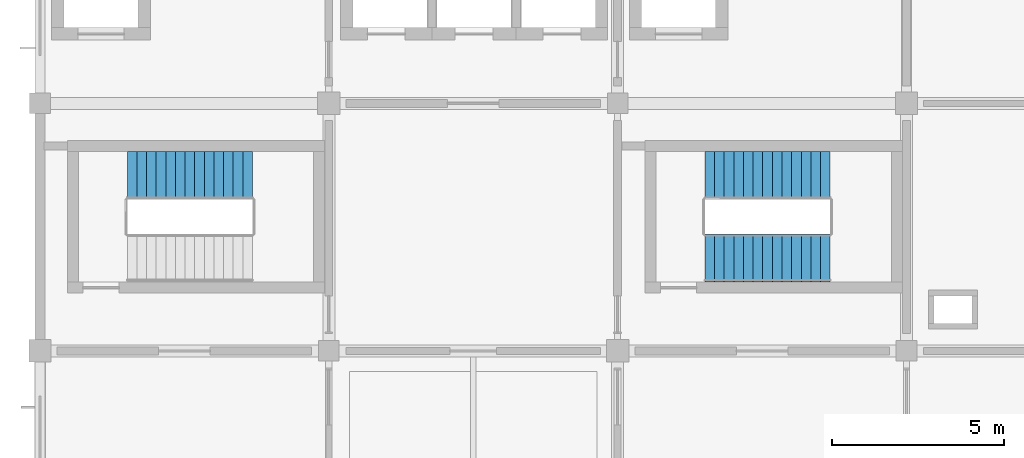
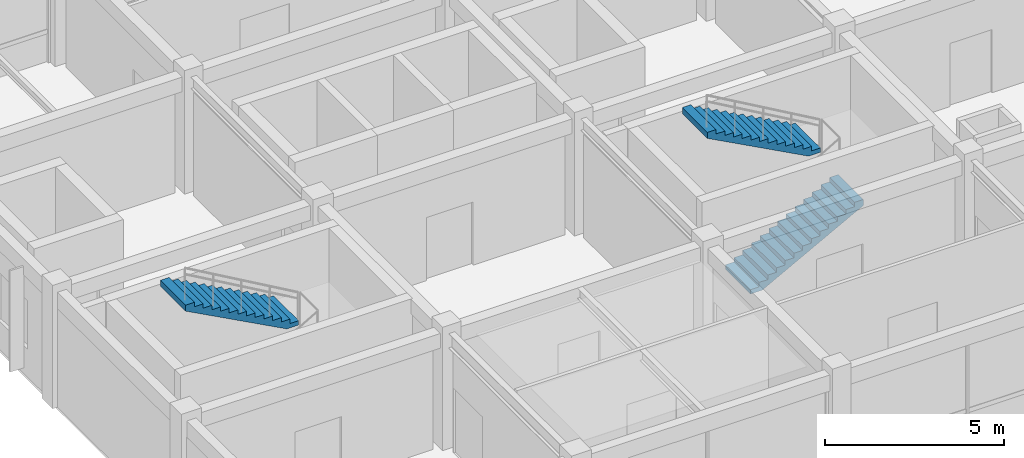
# One storey, part 11 of 13: 3 stair flights, 2 elements without a shape of their own.
"""IFC4 building model written with IfcOpenShell, lengths in metres."""

import ifcopenshell
import ifcopenshell.guid

model = None  # the IFC model being written
_history = None  # IfcOwnerHistory: only IFC2X3 demands one
_inside = {}  # id of a spatial element -> (the spatial element, [elements in it])
_under = {}  # id of a project, library or spatial element -> (it, [spatial elements below it])
_declared = {}  # id of a project -> (the project, [libraries it declares])
_typed = {}  # id of a type object -> (the type object, [elements of that type])
_made_of = {}  # id of a material, layer set ... -> (it, [elements and type objects made of it])


def new_model(schema):
    """Start an empty IFC model of exactly this schema.

    Asked for "IFC4X3", IfcOpenShell would pick the latest addendum, in which some entities
    have other attributes; the version numbers below select the first issue.
    IFC2X3 requires an IfcOwnerHistory on every rooted entity: one is made here for all.
    """
    global model, _history
    if schema == "IFC4X3":
        model = ifcopenshell.file(schema_version=(4, 3, 0, 0))
    else:
        model = ifcopenshell.file(schema=schema)
    _inside.clear()
    _under.clear()
    _declared.clear()
    _typed.clear()
    _made_of.clear()
    _history = None
    if model.schema == "IFC2X3":
        org = make("IfcOrganization", Name="unknown")
        user = make(
            "IfcPersonAndOrganization",
            ThePerson=make("IfcPerson", FamilyName="unknown"),
            TheOrganization=org,
        )
        app = make(
            "IfcApplication",
            ApplicationDeveloper=org,
            Version="unknown",
            ApplicationFullName="unknown",
            ApplicationIdentifier="unknown",
        )
        _history = make(
            "IfcOwnerHistory",
            OwningUser=user,
            OwningApplication=app,
            ChangeAction="ADDED",
            CreationDate=0,
        )
    return model


def make(cls, **values):
    """One entity of the class cls with the attributes given. An attribute that is None is left unset."""
    return model.create_entity(
        cls, **{name: value for name, value in values.items() if value is not None}
    )


def rooted(cls, **values):
    """An entity with a GlobalId (a new one), such as an element, a storey or a relation."""
    return make(cls, GlobalId=ifcopenshell.guid.new(), OwnerHistory=_history, **values)


def si_unit(unit_type, name, prefix=None):
    """IfcSIUnit, for example si_unit("LENGTHUNIT", "METRE", prefix="MILLI")."""
    return make("IfcSIUnit", UnitType=unit_type, Prefix=prefix, Name=name)


def derived_unit(unit_type, elements):
    """IfcDerivedUnit: a product of units, each with its exponent."""
    return make(
        "IfcDerivedUnit",
        Elements=[
            make("IfcDerivedUnitElement", Unit=unit, Exponent=power)
            for unit, power in elements
        ],
        UnitType=unit_type,
    )


def assignment(units):
    """IfcUnitAssignment: the units of a project."""
    return None if units is None else make("IfcUnitAssignment", Units=units)


def point(xyz):
    """IfcCartesianPoint."""
    return None if xyz is None else make("IfcCartesianPoint", Coordinates=xyz)


def direction(xyz):
    """IfcDirection."""
    return None if xyz is None else make("IfcDirection", DirectionRatios=xyz)


def frame(location, z_axis=None, x_axis=None):
    """IfcAxis2Placement3D, a coordinate frame: its origin and axes. An axis left out is left unset."""
    return make(
        "IfcAxis2Placement3D",
        Location=point(location),
        Axis=direction(z_axis),
        RefDirection=direction(x_axis),
    )


def origin():
    """The frame at (0, 0, 0) with its axes left unset."""
    return frame((0.0, 0.0, 0.0))


def place(relative_to, where):
    """IfcLocalPlacement: puts the frame where relative to a parent placement (None: the world)."""
    return make(
        "IfcLocalPlacement", PlacementRelTo=relative_to, RelativePlacement=where
    )


def context(
    kind, dimensions, precision=None, world=None, true_north=None, identifier=None
):
    """IfcGeometricRepresentationContext, for example the 3D "Model" context."""
    return make(
        "IfcGeometricRepresentationContext",
        ContextIdentifier=identifier,
        ContextType=kind,
        CoordinateSpaceDimension=dimensions,
        Precision=precision,
        WorldCoordinateSystem=world,
        TrueNorth=true_north,
    )


def subcontext(parent, identifier, kind, view, scale=None):
    """IfcGeometricRepresentationSubContext, for example "Body" below "Model"."""
    return make(
        "IfcGeometricRepresentationSubContext",
        ContextIdentifier=identifier,
        ContextType=kind,
        ParentContext=parent,
        TargetScale=scale,
        TargetView=view,
    )


def project(units=None, contexts=None):
    """IfcProject with its units and contexts."""
    return rooted(
        "IfcProject",
        Name="project",
        RepresentationContexts=contexts,
        UnitsInContext=assignment(units),
    )


def spatial(cls, under=None, at=None, **own):
    """A site, building, storey or space (cls), placed at a placement, below another one or the project."""
    s = rooted(cls, ObjectPlacement=at, **own)
    if under is not None:
        _under.setdefault(under.id(), (under, []))[1].append(s)
    return s


def polyline(points):
    """IfcPolyline through the points."""
    return make("IfcPolyline", Points=[point(p) for p in points])


def outline(outer, holes=None, kind="AREA"):
    """IfcArbitraryClosedProfileDef: a profile drawn as a closed curve; with holes, ...WithVoids."""
    if holes is None:
        return make("IfcArbitraryClosedProfileDef", ProfileType=kind, OuterCurve=outer)
    return make(
        "IfcArbitraryProfileDefWithVoids",
        ProfileType=kind,
        OuterCurve=outer,
        InnerCurves=holes,
    )


def extrude(swept, where, along, depth):
    """IfcExtrudedAreaSolid: the profile swept, set in the frame where, extruded along a direction by depth."""
    return make(
        "IfcExtrudedAreaSolid",
        SweptArea=swept,
        Position=where,
        ExtrudedDirection=direction(along),
        Depth=depth,
    )


def shape(context_of_items, identifier, shape_type, items):
    """IfcShapeRepresentation: the items that make up one representation, for example the "Body"."""
    return make(
        "IfcShapeRepresentation",
        ContextOfItems=context_of_items,
        RepresentationIdentifier=identifier,
        RepresentationType=shape_type,
        Items=items,
    )


def material(Name=None, Category=None):
    """IfcMaterial."""
    return make("IfcMaterial", Name=Name, Category=Category)


def made_of(thing, what):
    """Note that an element or type object is made of a material, layer set ...; save() writes the relation."""
    if what is not None:
        _made_of.setdefault(what.id(), (what, []))[1].append(thing)
    return thing


def type_object(cls, material=None, **own):
    """A type object (cls), such as IfcWallType, which elements share."""
    return made_of(rooted(cls, **own), material)


def element(
    cls,
    number,
    at=None,
    inside=None,
    cuts=None,
    type_object=None,
    material=None,
    context=None,
    identifier="Body",
    shape_type=None,
    held_by="IfcProductDefinitionShape",
    body=None,
    shapes=None,
    **own,
):
    """One element of the class cls, such as IfcWall. Its Tag is "e" and its number.

    at: its placement. inside: the storey or other place that contains it. cuts: it is an
    opening in that element (IfcRelVoidsElement). A single representation is given by context,
    identifier, shape_type and body (its items); several are given by shapes. held_by: the class
    of the entity that holds the representations. save() writes the other relations.
    """
    e = rooted(cls, Tag="e%d" % number, ObjectPlacement=at, **own)
    if body is not None:
        shapes = [shape(context, identifier, shape_type, body)]
    if shapes is not None:
        e.Representation = make(held_by, Representations=shapes)
    if inside is not None:
        _inside.setdefault(inside.id(), (inside, []))[1].append(e)
    if cuts is not None:
        rooted(
            "IfcRelVoidsElement", RelatingBuildingElement=cuts, RelatedOpeningElement=e
        )
    if type_object is not None:
        _typed.setdefault(type_object.id(), (type_object, []))[1].append(e)
    return made_of(e, material)


def aggregate(whole, parts):
    """IfcRelAggregates: a whole, such as a stair, and the parts it consists of."""
    return rooted("IfcRelAggregates", RelatingObject=whole, RelatedObjects=parts)


def save(model, path):
    """Write the relations noted so far, then the file.

    IfcRelAggregates (storeys below a building ...), IfcRelContainedInSpatialStructure (elements
    in a storey), IfcRelDefinesByType, IfcRelAssociatesMaterial and IfcRelDeclares: one each for
    every whole, place, type object, material and project.
    """
    for whole, parts in _under.values():
        aggregate(whole, parts)
    for where, things in _inside.values():
        rooted(
            "IfcRelContainedInSpatialStructure",
            RelatedElements=things,
            RelatingStructure=where,
        )
    for kind, things in _typed.values():
        rooted("IfcRelDefinesByType", RelatedObjects=things, RelatingType=kind)
    for what, things in _made_of.values():
        rooted("IfcRelAssociatesMaterial", RelatedObjects=things, RelatingMaterial=what)
    for by, libraries in _declared.values():
        rooted("IfcRelDeclares", RelatingContext=by, RelatedDefinitions=libraries)
    model.write(path)


model = new_model("IFC4")

# Units and contexts
model_context = context("Model", 3, precision=1e-05, world=origin(), true_north=direction((0.0, 1.0)))
body_context = subcontext(model_context, "Body", "Model", "MODEL_VIEW")
ifc_project = project(units=[si_unit("LENGTHUNIT", "METRE"), si_unit("AREAUNIT", "SQUARE_METRE"), si_unit("VOLUMEUNIT", "CUBIC_METRE"), si_unit("PLANEANGLEUNIT", "RADIAN"), si_unit("MASSUNIT", "GRAM", prefix="KILO"), derived_unit("THERMALTRANSMITTANCEUNIT", [(si_unit("MASSUNIT", "GRAM", prefix="KILO"), 1), (si_unit("TIMEUNIT", "SECOND"), -3), (si_unit("THERMODYNAMICTEMPERATUREUNIT", "KELVIN"), -1)])], contexts=[model_context])

# Site, building, storey
site_placement = place(None, origin())
site = spatial("IfcSite", under=ifc_project, at=site_placement, CompositionType="ELEMENT")
building_placement = place(site_placement, origin())
building = spatial("IfcBuilding", under=site, at=building_placement, Name="Veldstrom Oceanarium and Marine Research Institute", CompositionType="ELEMENT")
storey_placement = place(building_placement, frame((0.0, 0.0, 56.39990234375)))
storey = spatial("IfcBuildingStorey", under=building, at=storey_placement, Name="L12", CompositionType="ELEMENT", Elevation=56.39990234375)

# Stair, stair flight
ifc_material_1 = material(Name="Concrete C40/50", Category="concrete")
stair_type = type_object("IfcStairType", Name="ARC-STR-ST-420", PredefinedType="TWO_STRAIGHT_RUN_STAIR", material=ifc_material_1)
stair_1_placement = place(storey_placement, origin())
stair_1 = element("IfcStair", 1, at=stair_1_placement, inside=storey, type_object=stair_type, Name="Dog-Leg Escape Stair ST1-L12", PredefinedType="TWO_STRAIGHT_RUN_STAIR")
ifc_material_2 = material(Name="Concrete C40/50", Category="concrete")
stair_flight_type = type_object("IfcStairFlightType", Name="ARC-STF-ST-420", PredefinedType="STRAIGHT", material=ifc_material_2)
stair_flight_1_placement = place(storey_placement, frame((81.780029296875, 55.5, 2.10009765625), z_axis=(0.0, 0.0, 1.0), x_axis=(-1.0, 0.0, 0.0)))
stair_flight_1 = element("IfcStairFlight", 2, at=stair_flight_1_placement, type_object=stair_flight_type, Name="Stair Flight ST1-L12-2", NumberOfRisers=14, NumberOfTreads=13, PredefinedType="STRAIGHT", RiserHeight=0.15, TreadLength=0.28, context=body_context, shape_type="SweptSolid", body=[
    extrude(outline(polyline([(0.0, 0.0), (0.0, 0.14990234375), (0.280029296875, 0.14990234375), (0.280029296875, 0.300048828125), (0.56005859375, 0.300048828125), (0.56005859375, 0.449951171875), (0.840087890625, 0.449951171875), (0.840087890625, 0.60009765625), (1.1201171875, 0.60009765625), (1.1201171875, 0.75), (1.39990234375, 0.75), (1.39990234375, 0.89990234375), (1.679931640625, 0.89990234375), (1.679931640625, 1.050048828125), (1.9599609375, 1.050048828125), (1.9599609375, 1.199951171875), (2.239990234375, 1.199951171875), (2.239990234375, 1.35009765625), (2.52001953125, 1.35009765625), (2.52001953125, 1.5), (2.800048828125, 1.5), (2.800048828125, 1.64990234375), (3.080078125, 1.64990234375), (3.080078125, 1.800048828125), (3.360107421875, 1.800048828125), (3.360107421875, 1.949951171875), (3.639892578125, 1.949951171875), (3.639892578125, 2.10009765625), (3.639892578125, 1.745849609375), (0.381103515625, 0.0), (0.0, 0.0)])), frame((0.0, 0.699951171875, 0.0), z_axis=(0.0, -1.0, 0.0), x_axis=(1.0, 0.0, 0.0)), (0.0, 0.0, 1.0), 1.39990234375),
])
aggregate(stair_1, [stair_flight_1])

# Stair, stair flights
stair_2_placement = place(storey_placement, origin())
stair_2 = element("IfcStair", 3, at=stair_2_placement, inside=storey, type_object=stair_type, Name="Dog-Leg Escape Stair ST2-L12", PredefinedType="TWO_STRAIGHT_RUN_STAIR")
stair_flight_2_placement = place(storey_placement, frame((94.93994140625, 53.10009765625, 0.0), z_axis=(0.0, 0.0, 1.0), x_axis=(1.0, 0.0, 0.0)))
stair_flight_2 = element("IfcStairFlight", 4, at=stair_flight_2_placement, type_object=stair_flight_type, Name="Stair Flight ST2-L12-1", NumberOfRisers=14, NumberOfTreads=13, PredefinedType="STRAIGHT", RiserHeight=0.15, TreadLength=0.28, context=body_context, shape_type="SweptSolid", body=[
    extrude(outline(polyline([(0.0, 0.0), (0.0, 0.14990234375), (0.280029296875, 0.14990234375), (0.280029296875, 0.300048828125), (0.56005859375, 0.300048828125), (0.56005859375, 0.449951171875), (0.840087890625, 0.449951171875), (0.840087890625, 0.60009765625), (1.1201171875, 0.60009765625), (1.1201171875, 0.75), (1.39990234375, 0.75), (1.39990234375, 0.89990234375), (1.679931640625, 0.89990234375), (1.679931640625, 1.050048828125), (1.9599609375, 1.050048828125), (1.9599609375, 1.199951171875), (2.239990234375, 1.199951171875), (2.239990234375, 1.35009765625), (2.52001953125, 1.35009765625), (2.52001953125, 1.5), (2.800048828125, 1.5), (2.800048828125, 1.64990234375), (3.080078125, 1.64990234375), (3.080078125, 1.800048828125), (3.360107421875, 1.800048828125), (3.360107421875, 1.949951171875), (3.639892578125, 1.949951171875), (3.639892578125, 2.10009765625), (3.639892578125, 1.745849609375), (0.381103515625, 0.0), (0.0, 0.0)])), frame((0.0, 0.699951171875, 0.0), z_axis=(0.0, -1.0, 0.0), x_axis=(1.0, 0.0, 0.0)), (0.0, 0.0, 1.0), 1.39990234375),
])
stair_flight_3_placement = place(storey_placement, frame((98.580078125, 55.5, 2.10009765625), z_axis=(0.0, 0.0, 1.0), x_axis=(-1.0, 0.0, 0.0)))
stair_flight_3 = element("IfcStairFlight", 5, at=stair_flight_3_placement, type_object=stair_flight_type, Name="Stair Flight ST2-L12-2", NumberOfRisers=14, NumberOfTreads=13, PredefinedType="STRAIGHT", RiserHeight=0.15, TreadLength=0.28, context=body_context, shape_type="SweptSolid", body=[
    extrude(outline(polyline([(0.0, 0.0), (0.0, 0.14990234375), (0.280029296875, 0.14990234375), (0.280029296875, 0.300048828125), (0.56005859375, 0.300048828125), (0.56005859375, 0.449951171875), (0.840087890625, 0.449951171875), (0.840087890625, 0.60009765625), (1.1201171875, 0.60009765625), (1.1201171875, 0.75), (1.39990234375, 0.75), (1.39990234375, 0.89990234375), (1.679931640625, 0.89990234375), (1.679931640625, 1.050048828125), (1.9599609375, 1.050048828125), (1.9599609375, 1.199951171875), (2.239990234375, 1.199951171875), (2.239990234375, 1.35009765625), (2.52001953125, 1.35009765625), (2.52001953125, 1.5), (2.800048828125, 1.5), (2.800048828125, 1.64990234375), (3.080078125, 1.64990234375), (3.080078125, 1.800048828125), (3.360107421875, 1.800048828125), (3.360107421875, 1.949951171875), (3.639892578125, 1.949951171875), (3.639892578125, 2.10009765625), (3.639892578125, 1.745849609375), (0.381103515625, 0.0), (0.0, 0.0)])), frame((0.0, 0.699951171875, 0.0), z_axis=(0.0, -1.0, 0.0), x_axis=(1.0, 0.0, 0.0)), (0.0, 0.0, 1.0), 1.39990234375),
])
aggregate(stair_2, [stair_flight_2, stair_flight_3])

save(model, "model.ifc")
